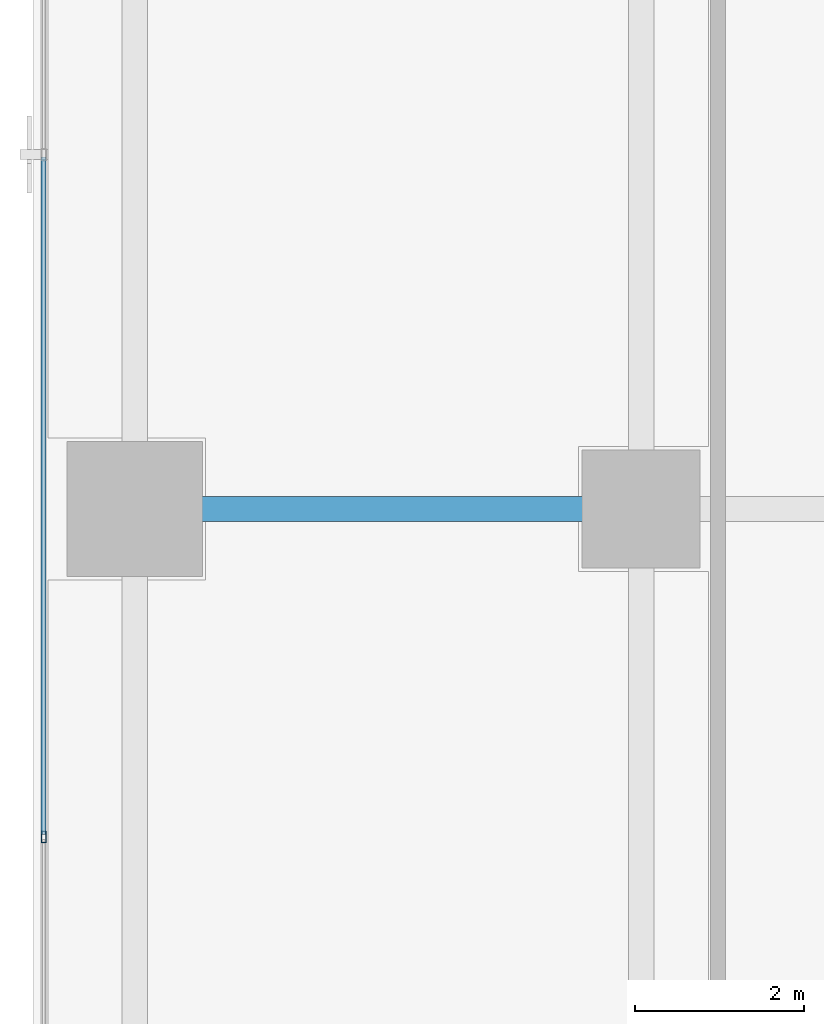
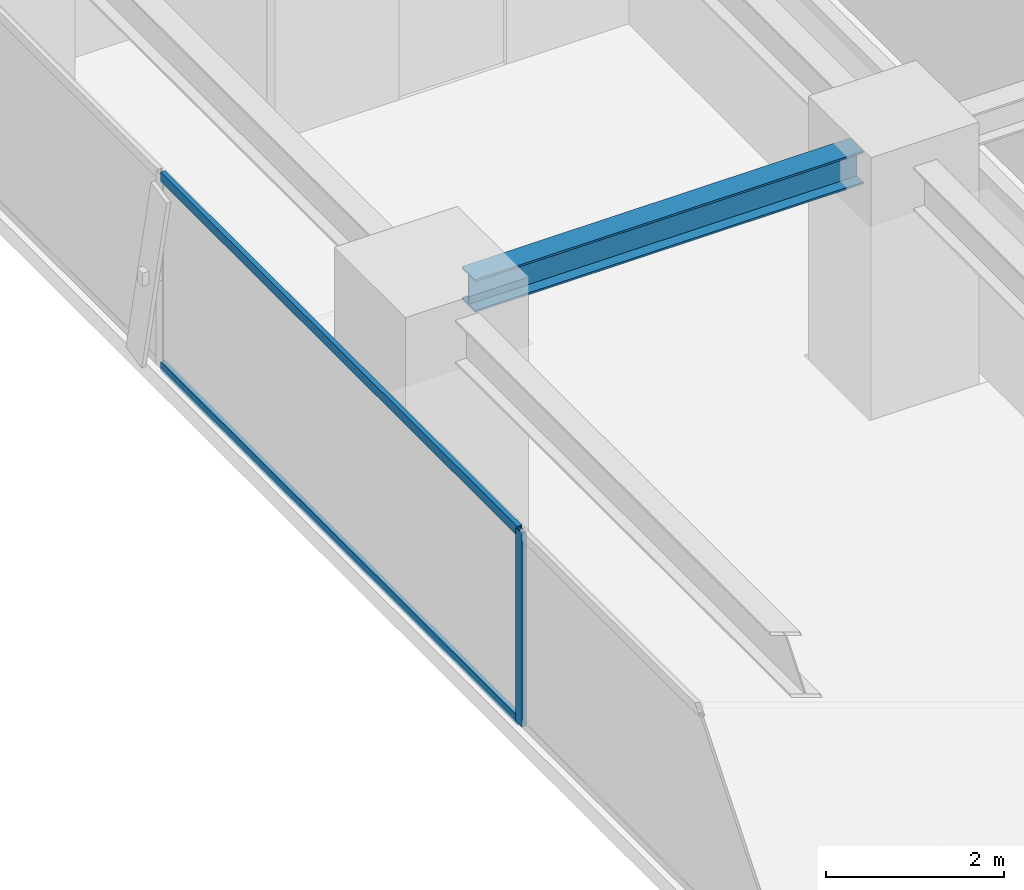
# One storey, part 4 of 32: 3 members, 1 beam, 1 element without a shape of its own.
"""IFC4 building model written with IfcOpenShell, lengths in metres."""

from ifc_helpers import new_model, si_unit, direction, frame, origin, origin_2d, place, context, subcontext, project, spatial, hollow_rectangle, i_section, extrude, source, transform, mapped, material, layer, layer_set, material_profile, profile_set, type_object, element, aggregate, save


model = new_model("IFC4")

# Units and contexts
model_context = context("Model", 3, precision=1e-05, world=origin(), true_north=direction((0.0, 1.0)))
body_context = subcontext(model_context, "Body", "Model", "MODEL_VIEW")
ifc_project = project(units=[si_unit("LENGTHUNIT", "METRE"), si_unit("AREAUNIT", "SQUARE_METRE"), si_unit("VOLUMEUNIT", "CUBIC_METRE"), si_unit("PLANEANGLEUNIT", "RADIAN"), si_unit("MASSUNIT", "GRAM", prefix="KILO")], contexts=[model_context])

# Site, building, storey
site_placement = place(None, origin())
site = spatial("IfcSite", under=ifc_project, at=site_placement, CompositionType="ELEMENT")
building_placement = place(site_placement, origin())
building = spatial("IfcBuilding", under=site, at=building_placement, Name="Sumidabori Civic Tower", CompositionType="ELEMENT")
storey_placement = place(building_placement, frame((0.0, 0.0, 225.199951171875)))
storey = spatial("IfcBuildingStorey", under=building, at=storey_placement, Name="L58", CompositionType="ELEMENT", Elevation=225.199951171875)

# Beam
ifc_material_1 = material(Name="Steel SN490", Category="steel")
ifc_material_profile_1 = material_profile(ifc_material_1, i_section(OverallWidth=0.300048828125, OverallDepth=0.449951171875, WebThickness=0.013916015625, FlangeThickness=0.02587890625, at=origin_2d()), Name="HE 450 B")
ifc_profile_set_1 = profile_set([ifc_material_profile_1], Name="Steel SN490")
beam_type = type_object("IfcBeamType", Name="BM-GIRD-450", PredefinedType="BEAM", material=ifc_profile_set_1)
shared_shape_1 = source(origin(), body_context, "Body", "SweptSolid", [
    extrude(i_section(OverallWidth=0.300048828125, OverallDepth=0.449951171875, WebThickness=0.013916015625, FlangeThickness=0.02587890625, at=origin_2d()), origin(), (0.0, 0.0, 1.0), 5.0400390625),
])
beam_placement = place(storey_placement, frame((-22.320068359375, 0.0, 3.054931640625), z_axis=(1.0, 0.0, 0.0), x_axis=(0.0, 1.0, 0.0)))
element("IfcBeam", 1, at=beam_placement, inside=storey, type_object=beam_type, Name="Primary Girder L58 GX-05", PredefinedType="BEAM", context=body_context, shape_type="MappedRepresentation", body=[
    mapped(shared_shape_1, transform((0.0, 0.0, 0.0), x_axis=(1.0, 0.0, 0.0), y_axis=(0.0, 1.0, 0.0), z_axis=(0.0, 0.0, 1.0), scale=1.0)),
])

# Curtain wall, members
ifc_material_2 = material(Name="Anodised Bronze Aluminium AW-6063-T6", Category="aluminium")
ifc_layer = layer(ifc_material_2, 0.179931640625, Name="Anodised Bronze Aluminium AW-6063-T6")
ifc_layer_set = layer_set([ifc_layer], Name="Anodised Bronze Aluminium AW-6063-T6")
curtain_wall_type = type_object("IfcCurtainWallType", Name="CW-SYS-5", PredefinedType="NOTDEFINED", material=ifc_layer_set)
curtain_wall_placement = place(storey_placement, origin())
curtain_wall = element("IfcCurtainWall", 2, at=curtain_wall_placement, inside=storey, type_object=curtain_wall_type, Name="Curtain Wall CW:L58:R17", PredefinedType="NOTDEFINED")
ifc_material_profile_2 = material_profile(ifc_material_2, hollow_rectangle(XDim=0.06005859375, YDim=0.1298828125, WallThickness=0.0048828125, at=origin_2d()), Name="ALU TRANSOM 130x60")
ifc_profile_set_2 = profile_set([ifc_material_profile_2], Name="Anodised Bronze Aluminium AW-6063-T6")
member_type_1 = type_object("IfcMemberType", Name="CW-TRN-130", PredefinedType="USERDEFINED", material=ifc_profile_set_2)
shared_shape_2 = source(origin(), body_context, "Body", "SweptSolid", [
    extrude(hollow_rectangle(XDim=0.06005859375, YDim=0.1298828125, WallThickness=0.0048828125, at=origin_2d()), origin(), (0.0, 0.0, 1.0), 8.02490234375),
])
member_1_placement = place(storey_placement, frame((-23.8798828125, 4.169921875, 0.030029296875), z_axis=(0.0, -1.0, 0.0), x_axis=(1.0, 0.0, 0.0)))
member_1 = element("IfcMember", 3, at=member_1_placement, type_object=member_type_1, Name="CW-5 transom 3.1", ObjectType="TRANSOM", PredefinedType="USERDEFINED", context=body_context, shape_type="MappedRepresentation", body=[
    mapped(shared_shape_2, transform((0.0, 0.0, 0.0), x_axis=(1.0, 0.0, 0.0), y_axis=(0.0, 1.0, 0.0), z_axis=(0.0, 0.0, 1.0), scale=1.0)),
])
member_2_placement = place(storey_placement, frame((-23.8798828125, 4.169921875, 2.630126953125), z_axis=(0.0, -1.0, 0.0), x_axis=(1.0, 0.0, 0.0)))
member_2 = element("IfcMember", 4, at=member_2_placement, type_object=member_type_1, Name="CW-5 transom 3.2", ObjectType="TRANSOM", PredefinedType="USERDEFINED", context=body_context, shape_type="MappedRepresentation", body=[
    mapped(shared_shape_2, transform((0.0, 0.0, 0.0), x_axis=(1.0, 0.0, 0.0), y_axis=(0.0, 1.0, 0.0), z_axis=(0.0, 0.0, 1.0), scale=1.0)),
])
ifc_material_profile_3 = material_profile(ifc_material_2, hollow_rectangle(XDim=0.06005859375, YDim=0.139892578125, WallThickness=0.0048828125, at=origin_2d()), Name="ALU MULLION 140x60")
ifc_profile_set_3 = profile_set([ifc_material_profile_3], Name="Anodised Bronze Aluminium AW-6063-T6")
member_type_2 = type_object("IfcMemberType", Name="CW-MUL-140", PredefinedType="MULLION", material=ifc_profile_set_3)
shared_shape_3 = source(origin(), body_context, "Body", "SweptSolid", [
    extrude(hollow_rectangle(XDim=0.06005859375, YDim=0.139892578125, WallThickness=0.0048828125, at=origin_2d()), origin(), (0.0, 0.0, 1.0), 2.66015625),
])
member_3_placement = place(storey_placement, frame((-23.8798828125, -3.885009765625, 0.0), z_axis=(0.0, 0.0, 1.0), x_axis=(1.0, 0.0, 0.0)))
member_3 = element("IfcMember", 5, at=member_3_placement, type_object=member_type_2, Name="CW-5 mullion 4", PredefinedType="MULLION", context=body_context, shape_type="MappedRepresentation", body=[
    mapped(shared_shape_3, transform((0.0, 0.0, 0.0), x_axis=(1.0, 0.0, 0.0), y_axis=(0.0, 1.0, 0.0), z_axis=(0.0, 0.0, 1.0), scale=1.0)),
])
aggregate(curtain_wall, [member_3, member_1, member_2])

save(model, "model.ifc")
